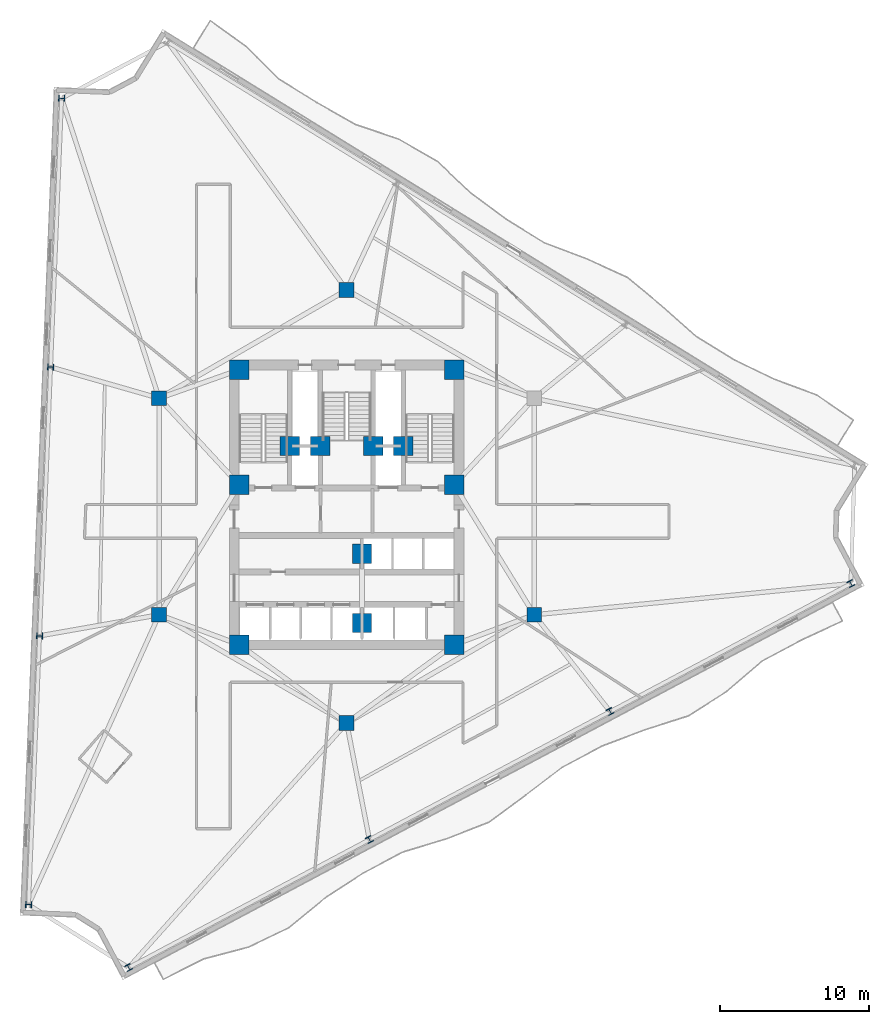
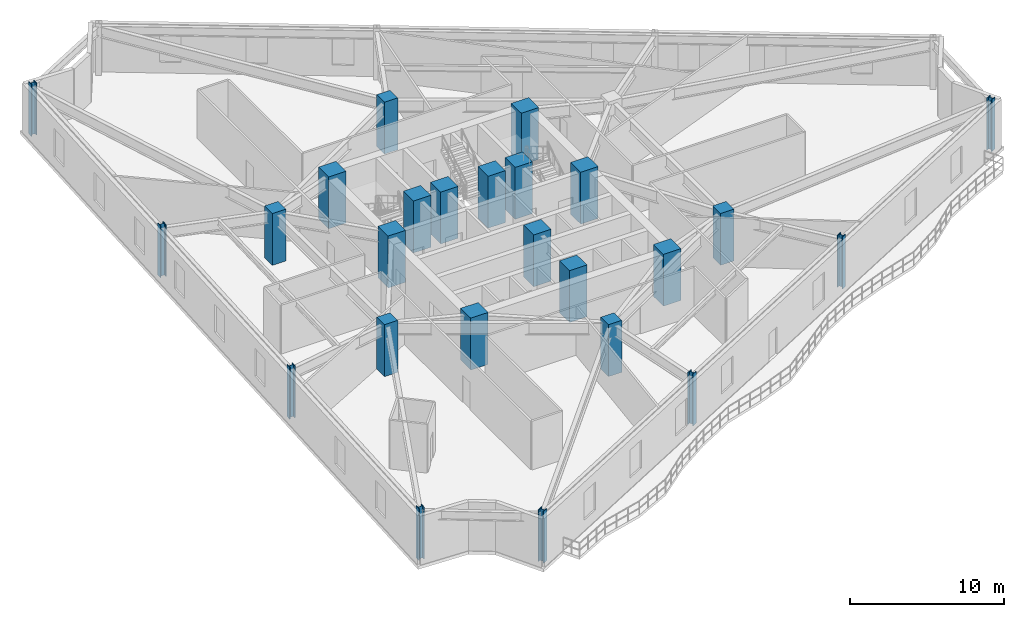
# One storey, part 1 of 11: 25 columns.
"""IFC4 building model written with IfcOpenShell, lengths in metres."""

import ifcopenshell
import ifcopenshell.guid

model = None  # the IFC model being written
_history = None  # IfcOwnerHistory: only IFC2X3 demands one
_inside = {}  # id of a spatial element -> (the spatial element, [elements in it])
_under = {}  # id of a project, library or spatial element -> (it, [spatial elements below it])
_declared = {}  # id of a project -> (the project, [libraries it declares])
_typed = {}  # id of a type object -> (the type object, [elements of that type])
_made_of = {}  # id of a material, layer set ... -> (it, [elements and type objects made of it])


def new_model(schema):
    """Start an empty IFC model of exactly this schema.

    Asked for "IFC4X3", IfcOpenShell would pick the latest addendum, in which some entities
    have other attributes; the version numbers below select the first issue.
    IFC2X3 requires an IfcOwnerHistory on every rooted entity: one is made here for all.
    """
    global model, _history
    if schema == "IFC4X3":
        model = ifcopenshell.file(schema_version=(4, 3, 0, 0))
    else:
        model = ifcopenshell.file(schema=schema)
    _inside.clear()
    _under.clear()
    _declared.clear()
    _typed.clear()
    _made_of.clear()
    _history = None
    if model.schema == "IFC2X3":
        org = make("IfcOrganization", Name="unknown")
        user = make(
            "IfcPersonAndOrganization",
            ThePerson=make("IfcPerson", FamilyName="unknown"),
            TheOrganization=org,
        )
        app = make(
            "IfcApplication",
            ApplicationDeveloper=org,
            Version="unknown",
            ApplicationFullName="unknown",
            ApplicationIdentifier="unknown",
        )
        _history = make(
            "IfcOwnerHistory",
            OwningUser=user,
            OwningApplication=app,
            ChangeAction="ADDED",
            CreationDate=0,
        )
    return model


def make(cls, **values):
    """One entity of the class cls with the attributes given. An attribute that is None is left unset."""
    return model.create_entity(
        cls, **{name: value for name, value in values.items() if value is not None}
    )


def rooted(cls, **values):
    """An entity with a GlobalId (a new one), such as an element, a storey or a relation."""
    return make(cls, GlobalId=ifcopenshell.guid.new(), OwnerHistory=_history, **values)


def si_unit(unit_type, name, prefix=None):
    """IfcSIUnit, for example si_unit("LENGTHUNIT", "METRE", prefix="MILLI")."""
    return make("IfcSIUnit", UnitType=unit_type, Prefix=prefix, Name=name)


def assignment(units):
    """IfcUnitAssignment: the units of a project."""
    return None if units is None else make("IfcUnitAssignment", Units=units)


def point(xyz):
    """IfcCartesianPoint."""
    return None if xyz is None else make("IfcCartesianPoint", Coordinates=xyz)


def direction(xyz):
    """IfcDirection."""
    return None if xyz is None else make("IfcDirection", DirectionRatios=xyz)


def frame(location, z_axis=None, x_axis=None):
    """IfcAxis2Placement3D, a coordinate frame: its origin and axes. An axis left out is left unset."""
    return make(
        "IfcAxis2Placement3D",
        Location=point(location),
        Axis=direction(z_axis),
        RefDirection=direction(x_axis),
    )


def frame_2d(location, x_axis=None):
    """IfcAxis2Placement2D, a coordinate frame in the plane: its origin and x axis."""
    return make(
        "IfcAxis2Placement2D", Location=point(location), RefDirection=direction(x_axis)
    )


def origin():
    """The frame at (0, 0, 0) with its axes left unset."""
    return frame((0.0, 0.0, 0.0))


def origin_2d():
    """The frame at (0, 0) in the plane with its x axis left unset."""
    return frame_2d((0.0, 0.0))


def place(relative_to, where):
    """IfcLocalPlacement: puts the frame where relative to a parent placement (None: the world)."""
    return make(
        "IfcLocalPlacement", PlacementRelTo=relative_to, RelativePlacement=where
    )


def context(
    kind, dimensions, precision=None, world=None, true_north=None, identifier=None
):
    """IfcGeometricRepresentationContext, for example the 3D "Model" context."""
    return make(
        "IfcGeometricRepresentationContext",
        ContextIdentifier=identifier,
        ContextType=kind,
        CoordinateSpaceDimension=dimensions,
        Precision=precision,
        WorldCoordinateSystem=world,
        TrueNorth=true_north,
    )


def subcontext(parent, identifier, kind, view, scale=None):
    """IfcGeometricRepresentationSubContext, for example "Body" below "Model"."""
    return make(
        "IfcGeometricRepresentationSubContext",
        ContextIdentifier=identifier,
        ContextType=kind,
        ParentContext=parent,
        TargetScale=scale,
        TargetView=view,
    )


def project(units=None, contexts=None):
    """IfcProject with its units and contexts."""
    return rooted(
        "IfcProject",
        Name="project",
        RepresentationContexts=contexts,
        UnitsInContext=assignment(units),
    )


def spatial(cls, under=None, at=None, **own):
    """A site, building, storey or space (cls), placed at a placement, below another one or the project."""
    s = rooted(cls, ObjectPlacement=at, **own)
    if under is not None:
        _under.setdefault(under.id(), (under, []))[1].append(s)
    return s


def profile(cls, at=None, kind="AREA", **sizes):
    """A parametric profile (cls). Its sizes go by their IFC names, for example OverallWidth=200.0."""
    return make(cls, ProfileType=kind, Position=at, **sizes)


def rectangle(**sizes):
    """IfcRectangleProfileDef."""
    return profile("IfcRectangleProfileDef", **sizes)


def i_section(**sizes):
    """IfcIShapeProfileDef."""
    return profile("IfcIShapeProfileDef", **sizes)


def extrude(swept, where, along, depth):
    """IfcExtrudedAreaSolid: the profile swept, set in the frame where, extruded along a direction by depth."""
    return make(
        "IfcExtrudedAreaSolid",
        SweptArea=swept,
        Position=where,
        ExtrudedDirection=direction(along),
        Depth=depth,
    )


def shape(context_of_items, identifier, shape_type, items):
    """IfcShapeRepresentation: the items that make up one representation, for example the "Body"."""
    return make(
        "IfcShapeRepresentation",
        ContextOfItems=context_of_items,
        RepresentationIdentifier=identifier,
        RepresentationType=shape_type,
        Items=items,
    )


def material(Name=None, Category=None):
    """IfcMaterial."""
    return make("IfcMaterial", Name=Name, Category=Category)


def material_profile(
    of_material, cross_section, Name=None, Category=None, Priority=None
):
    """IfcMaterialProfile: a cross section and its material."""
    return make(
        "IfcMaterialProfile",
        Name=Name,
        Material=of_material,
        Profile=cross_section,
        Priority=Priority,
        Category=Category,
    )


def profile_set(profiles, Name=None, composite=None):
    """IfcMaterialProfileSet."""
    return make(
        "IfcMaterialProfileSet",
        Name=Name,
        MaterialProfiles=profiles,
        CompositeProfile=composite,
    )


def made_of(thing, what):
    """Note that an element or type object is made of a material, layer set ...; save() writes the relation."""
    if what is not None:
        _made_of.setdefault(what.id(), (what, []))[1].append(thing)
    return thing


def type_object(cls, material=None, **own):
    """A type object (cls), such as IfcWallType, which elements share."""
    return made_of(rooted(cls, **own), material)


def element(
    cls,
    number,
    at=None,
    inside=None,
    cuts=None,
    type_object=None,
    material=None,
    context=None,
    identifier="Body",
    shape_type=None,
    held_by="IfcProductDefinitionShape",
    body=None,
    shapes=None,
    **own,
):
    """One element of the class cls, such as IfcWall. Its Tag is "e" and its number.

    at: its placement. inside: the storey or other place that contains it. cuts: it is an
    opening in that element (IfcRelVoidsElement). A single representation is given by context,
    identifier, shape_type and body (its items); several are given by shapes. held_by: the class
    of the entity that holds the representations. save() writes the other relations.
    """
    e = rooted(cls, Tag="e%d" % number, ObjectPlacement=at, **own)
    if body is not None:
        shapes = [shape(context, identifier, shape_type, body)]
    if shapes is not None:
        e.Representation = make(held_by, Representations=shapes)
    if inside is not None:
        _inside.setdefault(inside.id(), (inside, []))[1].append(e)
    if cuts is not None:
        rooted(
            "IfcRelVoidsElement", RelatingBuildingElement=cuts, RelatedOpeningElement=e
        )
    if type_object is not None:
        _typed.setdefault(type_object.id(), (type_object, []))[1].append(e)
    return made_of(e, material)


def aggregate(whole, parts):
    """IfcRelAggregates: a whole, such as a stair, and the parts it consists of."""
    return rooted("IfcRelAggregates", RelatingObject=whole, RelatedObjects=parts)


def save(model, path):
    """Write the relations noted so far, then the file.

    IfcRelAggregates (storeys below a building ...), IfcRelContainedInSpatialStructure (elements
    in a storey), IfcRelDefinesByType, IfcRelAssociatesMaterial and IfcRelDeclares: one each for
    every whole, place, type object, material and project.
    """
    for whole, parts in _under.values():
        aggregate(whole, parts)
    for where, things in _inside.values():
        rooted(
            "IfcRelContainedInSpatialStructure",
            RelatedElements=things,
            RelatingStructure=where,
        )
    for kind, things in _typed.values():
        rooted("IfcRelDefinesByType", RelatedObjects=things, RelatingType=kind)
    for what, things in _made_of.values():
        rooted("IfcRelAssociatesMaterial", RelatedObjects=things, RelatingMaterial=what)
    for by, libraries in _declared.values():
        rooted("IfcRelDeclares", RelatingContext=by, RelatedDefinitions=libraries)
    model.write(path)


model = new_model("IFC4")

# Units and contexts
model_context = context("Model", 3, precision=1e-05, world=origin(), true_north=direction((0.0, 1.0)))
body_context = subcontext(model_context, "Body", "Model", "MODEL_VIEW")
ifc_project = project(units=[si_unit("LENGTHUNIT", "METRE"), si_unit("AREAUNIT", "SQUARE_METRE"), si_unit("VOLUMEUNIT", "CUBIC_METRE"), si_unit("PLANEANGLEUNIT", "RADIAN"), si_unit("MASSUNIT", "GRAM", prefix="KILO")], contexts=[model_context])

# Site, building, storey
site_placement = place(None, origin())
site = spatial("IfcSite", under=ifc_project, at=site_placement, CompositionType="ELEMENT")
building_placement = place(site_placement, origin())
building = spatial("IfcBuilding", under=site, at=building_placement, Name="Apsidion Concourse Tower", CompositionType="ELEMENT")
storey_placement = place(building_placement, frame((0.0, 0.0, 186.0)))
storey = spatial("IfcBuildingStorey", under=building, at=storey_placement, Name="L43", CompositionType="ELEMENT", Elevation=186.0)

# Columns
ifc_material_1 = material(Name="Concrete C50/60", Category="concrete")
ifc_material_profile_1 = material_profile(ifc_material_1, rectangle(XDim=1.0, YDim=1.0, at=origin_2d()), Name="RC 1000x1000")
ifc_profile_set_1 = profile_set([ifc_material_profile_1], Name="Concrete C50/60")
column_type_1 = type_object("IfcColumnType", Name="COL-RC-1000", PredefinedType="COLUMN", material=ifc_profile_set_1)
for number, where, z_axis, x_axis, name in (
    (1, (-12.56005859375, -7.25, 0.0), (0.0, 0.0, 1.0), (1.0, 0.0, 0.0), "L43 Interior Spine Column IC1"),
    (2, (12.56005859375, -7.25, 0.0), (0.0, 0.0, 1.0), (1.0, 0.0, 0.0), "L43 Interior Spine Column IC2"),
    (3, (0.0, 14.5, 0.0), (0.0, 0.0, 1.0), (1.0, 0.0, 0.0), "L43 Interior Spine Column IC4"),
    (4, (-12.56005859375, 7.25, 0.0), (0.0, 0.0, 1.0), (1.0, 0.0, 0.0), "L43 Interior Spine Column IC5"),
    (5, (0.0, -14.5, 0.0), (0.0, 0.0, 1.0), (1.0, 0.0, 0.0), "L43 Interior Spine Column IC6"),
):
    element("IfcColumn", number, at=place(storey_placement, frame(where, z_axis=z_axis, x_axis=x_axis)), inside=storey, type_object=column_type_1, Name=name, PredefinedType="COLUMN", context=body_context, shape_type="SweptSolid", body=[
        extrude(rectangle(XDim=1.0, YDim=1.0, at=origin_2d()), origin(), (0.0, 0.0, 1.0), 4.10009765625),
    ])
ifc_material_profile_2 = material_profile(ifc_material_1, rectangle(XDim=1.300048828125, YDim=1.300048828125, at=origin_2d()), Name="RC 1300x1300")
ifc_profile_set_2 = profile_set([ifc_material_profile_2], Name="Concrete C50/60")
column_type_2 = type_object("IfcColumnType", Name="COL-RC-1300", PredefinedType="COLUMN", material=ifc_profile_set_2)
for number, where, z_axis, x_axis, name in (
    (6, (-7.199951171875, -9.25, 0.0), (0.0, 0.0, 1.0), (1.0, 0.0, 0.0), "L43 Core Super-Column SC1"),
    (7, (7.199951171875, -9.25, 0.0), (0.0, 0.0, 1.0), (1.0, 0.0, 0.0), "L43 Core Super-Column SC2"),
    (8, (7.199951171875, 1.449951171875, 0.0), (0.0, 0.0, 1.0), (1.0, 0.0, 0.0), "L43 Core Super-Column SC3"),
    (9, (7.199951171875, 9.14990234375, 0.0), (0.0, 0.0, 1.0), (1.0, 0.0, 0.0), "L43 Core Super-Column SC4"),
    (10, (-7.199951171875, 9.14990234375, 0.0), (0.0, 0.0, 1.0), (1.0, 0.0, 0.0), "L43 Core Super-Column SC5"),
    (11, (-7.199951171875, 1.449951171875, 0.0), (0.0, 0.0, 1.0), (1.0, 0.0, 0.0), "L43 Core Super-Column SC6"),
    (12, (-3.800048828125, 4.050048828125, 0.0), (0.0, 0.0, 1.0), (1.0, 0.0, 0.0), "L43 Core Super-Column CC1"),
    (13, (3.800048828125, 4.050048828125, 0.0), (0.0, 0.0, 1.0), (1.0, 0.0, 0.0), "L43 Core Super-Column CC2"),
    (14, (-1.77490234375, 4.050048828125, 0.0), (0.0, 0.0, 1.0), (1.0, 0.0, 0.0), "L43 Core Super-Column CC3"),
    (15, (1.77490234375, 4.050048828125, 0.0), (0.0, 0.0, 1.0), (1.0, 0.0, 0.0), "L43 Core Super-Column CC4"),
    (16, (1.02490234375, -3.14990234375, 0.0), (0.0, 0.0, 1.0), (1.0, 0.0, 0.0), "L43 Core Super-Column CC5"),
    (17, (1.02490234375, -7.800048828125, 0.0), (0.0, 0.0, 1.0), (1.0, 0.0, 0.0), "L43 Core Super-Column CC6"),
):
    element("IfcColumn", number, at=place(storey_placement, frame(where, z_axis=z_axis, x_axis=x_axis)), inside=storey, type_object=column_type_2, Name=name, PredefinedType="COLUMN", context=body_context, shape_type="SweptSolid", body=[
        extrude(rectangle(XDim=1.300048828125, YDim=1.300048828125, at=origin_2d()), origin(), (0.0, 0.0, 1.0), 4.10009765625),
    ])
ifc_material_2 = material(Name="Structural steel ASTM A992 Grade 50", Category="steel")
ifc_material_profile_3 = material_profile(ifc_material_2, i_section(OverallWidth=0.406005859375, OverallDepth=0.4169921875, WebThickness=0.02978515625, FlangeThickness=0.048095703125, at=origin_2d()), Name="W14X257")
ifc_profile_set_3 = profile_set([ifc_material_profile_3], Name="Structural steel ASTM A992 Grade 50")
column_type_3 = type_object("IfcColumnType", Name="COL-W14-257", PredefinedType="COLUMN", material=ifc_profile_set_3)
for number, where, z_axis, x_axis, name in (
    (18, (-19.086181640625, 27.331298828125, 0.0), (0.0, 0.0, 1.0), (0.041003738744, 0.999158993058, 0.0), "L43 Rotated Perimeter Column PC01"),
    (19, (-19.82421875, 9.3349609375, 0.0), (0.0, 0.0, 1.0), (0.041003738744, 0.999158993058, 0.0), "L43 Rotated Perimeter Column PC02"),
    (20, (-20.56201171875, -8.661376953125, 0.0), (0.0, 0.0, 1.0), (0.041003738744, 0.999158993058, 0.0), "L43 Rotated Perimeter Column PC03"),
    (21, (-21.300048828125, -26.65771484375, 0.0), (0.0, 0.0, 1.0), (0.041003738744, 0.999158993058, 0.0), "L43 Rotated Perimeter Column PC04"),
    (22, (-14.599609375, -30.872802734375, 0.0), (0.0, 0.0, 1.0), (0.882947592859, 0.469471562786, 0.0), "L43 Rotated Perimeter Column PC05"),
    (23, (1.519775390625, -22.302001953125, 0.0), (0.0, 0.0, 1.0), (0.882947592859, 0.469471562786, 0.0), "L43 Rotated Perimeter Column PC06"),
    (24, (17.639404296875, -13.731201171875, 0.0), (0.0, 0.0, 1.0), (0.882947592859, 0.469471562786, 0.0), "L43 Rotated Perimeter Column PC07"),
    (25, (33.7587890625, -5.160400390625, 0.0), (0.0, 0.0, 1.0), (0.882947592859, 0.469471562786, 0.0), "L43 Rotated Perimeter Column PC08"),
):
    element("IfcColumn", number, at=place(storey_placement, frame(where, z_axis=z_axis, x_axis=x_axis)), inside=storey, type_object=column_type_3, Name=name, PredefinedType="COLUMN", context=body_context, shape_type="SweptSolid", body=[
        extrude(i_section(OverallWidth=0.406005859375, OverallDepth=0.4169921875, WebThickness=0.02978515625, FlangeThickness=0.048095703125, at=origin_2d()), origin(), (0.0, 0.0, 1.0), 4.10009765625),
    ])

save(model, "model.ifc")
